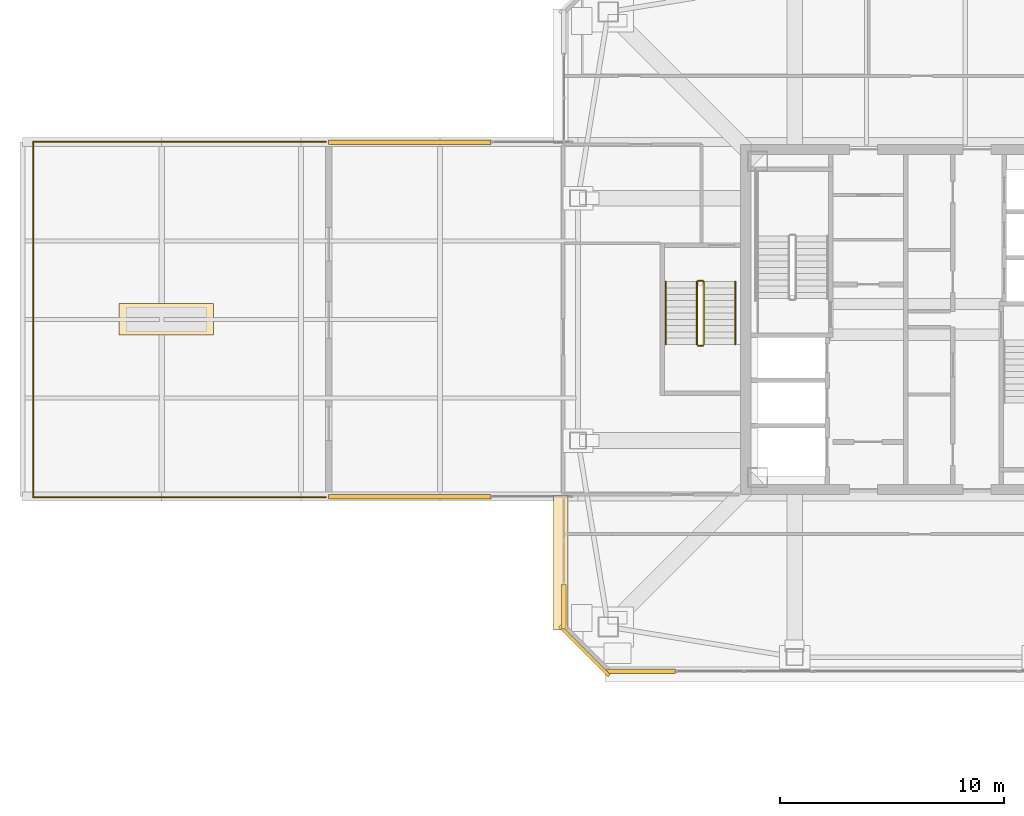
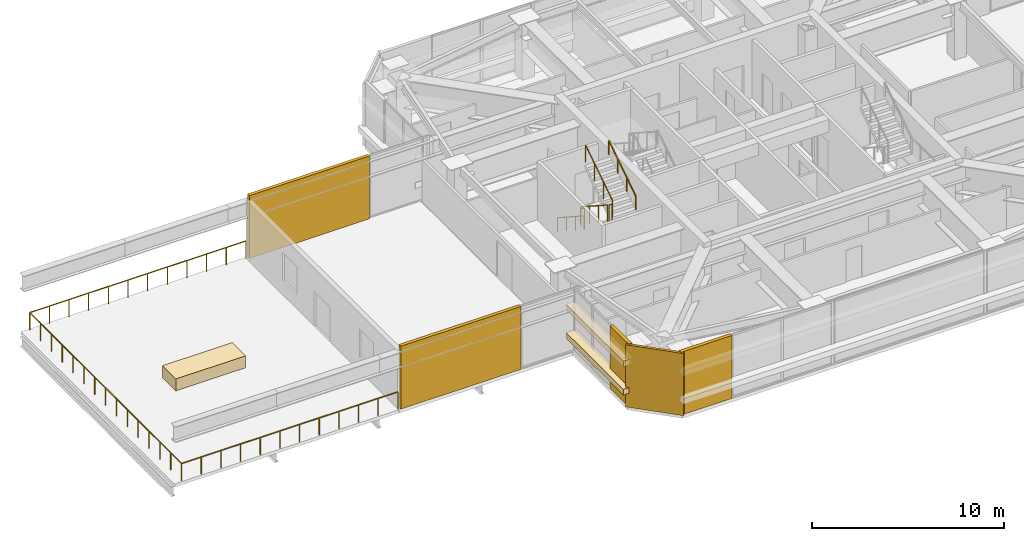
# One storey, part 46 of 51: 9 railings, 8 coverings.
"""IFC4 building model written with IfcOpenShell, lengths in metres."""

import ifcopenshell
import ifcopenshell.guid

model = None  # the IFC model being written
_history = None  # IfcOwnerHistory: only IFC2X3 demands one
_inside = {}  # id of a spatial element -> (the spatial element, [elements in it])
_under = {}  # id of a project, library or spatial element -> (it, [spatial elements below it])
_declared = {}  # id of a project -> (the project, [libraries it declares])
_typed = {}  # id of a type object -> (the type object, [elements of that type])
_made_of = {}  # id of a material, layer set ... -> (it, [elements and type objects made of it])


def new_model(schema):
    """Start an empty IFC model of exactly this schema.

    Asked for "IFC4X3", IfcOpenShell would pick the latest addendum, in which some entities
    have other attributes; the version numbers below select the first issue.
    IFC2X3 requires an IfcOwnerHistory on every rooted entity: one is made here for all.
    """
    global model, _history
    if schema == "IFC4X3":
        model = ifcopenshell.file(schema_version=(4, 3, 0, 0))
    else:
        model = ifcopenshell.file(schema=schema)
    _inside.clear()
    _under.clear()
    _declared.clear()
    _typed.clear()
    _made_of.clear()
    _history = None
    if model.schema == "IFC2X3":
        org = make("IfcOrganization", Name="unknown")
        user = make(
            "IfcPersonAndOrganization",
            ThePerson=make("IfcPerson", FamilyName="unknown"),
            TheOrganization=org,
        )
        app = make(
            "IfcApplication",
            ApplicationDeveloper=org,
            Version="unknown",
            ApplicationFullName="unknown",
            ApplicationIdentifier="unknown",
        )
        _history = make(
            "IfcOwnerHistory",
            OwningUser=user,
            OwningApplication=app,
            ChangeAction="ADDED",
            CreationDate=0,
        )
    return model


def make(cls, **values):
    """One entity of the class cls with the attributes given. An attribute that is None is left unset."""
    return model.create_entity(
        cls, **{name: value for name, value in values.items() if value is not None}
    )


def rooted(cls, **values):
    """An entity with a GlobalId (a new one), such as an element, a storey or a relation."""
    return make(cls, GlobalId=ifcopenshell.guid.new(), OwnerHistory=_history, **values)


def si_unit(unit_type, name, prefix=None):
    """IfcSIUnit, for example si_unit("LENGTHUNIT", "METRE", prefix="MILLI")."""
    return make("IfcSIUnit", UnitType=unit_type, Prefix=prefix, Name=name)


def assignment(units):
    """IfcUnitAssignment: the units of a project."""
    return None if units is None else make("IfcUnitAssignment", Units=units)


def point(xyz):
    """IfcCartesianPoint."""
    return None if xyz is None else make("IfcCartesianPoint", Coordinates=xyz)


def direction(xyz):
    """IfcDirection."""
    return None if xyz is None else make("IfcDirection", DirectionRatios=xyz)


def frame(location, z_axis=None, x_axis=None):
    """IfcAxis2Placement3D, a coordinate frame: its origin and axes. An axis left out is left unset."""
    return make(
        "IfcAxis2Placement3D",
        Location=point(location),
        Axis=direction(z_axis),
        RefDirection=direction(x_axis),
    )


def frame_2d(location, x_axis=None):
    """IfcAxis2Placement2D, a coordinate frame in the plane: its origin and x axis."""
    return make(
        "IfcAxis2Placement2D", Location=point(location), RefDirection=direction(x_axis)
    )


def origin():
    """The frame at (0, 0, 0) with its axes left unset."""
    return frame((0.0, 0.0, 0.0))


def origin_2d():
    """The frame at (0, 0) in the plane with its x axis left unset."""
    return frame_2d((0.0, 0.0))


def place(relative_to, where):
    """IfcLocalPlacement: puts the frame where relative to a parent placement (None: the world)."""
    return make(
        "IfcLocalPlacement", PlacementRelTo=relative_to, RelativePlacement=where
    )


def context(
    kind, dimensions, precision=None, world=None, true_north=None, identifier=None
):
    """IfcGeometricRepresentationContext, for example the 3D "Model" context."""
    return make(
        "IfcGeometricRepresentationContext",
        ContextIdentifier=identifier,
        ContextType=kind,
        CoordinateSpaceDimension=dimensions,
        Precision=precision,
        WorldCoordinateSystem=world,
        TrueNorth=true_north,
    )


def subcontext(parent, identifier, kind, view, scale=None):
    """IfcGeometricRepresentationSubContext, for example "Body" below "Model"."""
    return make(
        "IfcGeometricRepresentationSubContext",
        ContextIdentifier=identifier,
        ContextType=kind,
        ParentContext=parent,
        TargetScale=scale,
        TargetView=view,
    )


def project(units=None, contexts=None):
    """IfcProject with its units and contexts."""
    return rooted(
        "IfcProject",
        Name="project",
        RepresentationContexts=contexts,
        UnitsInContext=assignment(units),
    )


def spatial(cls, under=None, at=None, **own):
    """A site, building, storey or space (cls), placed at a placement, below another one or the project."""
    s = rooted(cls, ObjectPlacement=at, **own)
    if under is not None:
        _under.setdefault(under.id(), (under, []))[1].append(s)
    return s


def profile(cls, at=None, kind="AREA", **sizes):
    """A parametric profile (cls). Its sizes go by their IFC names, for example OverallWidth=200.0."""
    return make(cls, ProfileType=kind, Position=at, **sizes)


def rectangle(**sizes):
    """IfcRectangleProfileDef."""
    return profile("IfcRectangleProfileDef", **sizes)


def extrude(swept, where, along, depth):
    """IfcExtrudedAreaSolid: the profile swept, set in the frame where, extruded along a direction by depth."""
    return make(
        "IfcExtrudedAreaSolid",
        SweptArea=swept,
        Position=where,
        ExtrudedDirection=direction(along),
        Depth=depth,
    )


def shape(context_of_items, identifier, shape_type, items):
    """IfcShapeRepresentation: the items that make up one representation, for example the "Body"."""
    return make(
        "IfcShapeRepresentation",
        ContextOfItems=context_of_items,
        RepresentationIdentifier=identifier,
        RepresentationType=shape_type,
        Items=items,
    )


def material(Name=None, Category=None):
    """IfcMaterial."""
    return make("IfcMaterial", Name=Name, Category=Category)


def layer(
    of_material, thickness, ventilated=None, Name=None, Category=None, Priority=None
):
    """IfcMaterialLayer: one layer of a wall or slab, of a material (None: an air gap)."""
    return make(
        "IfcMaterialLayer",
        Material=of_material,
        LayerThickness=thickness,
        IsVentilated=ventilated,
        Name=Name,
        Category=Category,
        Priority=Priority,
    )


def layer_set(layers, Name=None):
    """IfcMaterialLayerSet."""
    return make("IfcMaterialLayerSet", MaterialLayers=layers, LayerSetName=Name)


def made_of(thing, what):
    """Note that an element or type object is made of a material, layer set ...; save() writes the relation."""
    if what is not None:
        _made_of.setdefault(what.id(), (what, []))[1].append(thing)
    return thing


def type_object(cls, material=None, **own):
    """A type object (cls), such as IfcWallType, which elements share."""
    return made_of(rooted(cls, **own), material)


def element(
    cls,
    number,
    at=None,
    inside=None,
    cuts=None,
    type_object=None,
    material=None,
    context=None,
    identifier="Body",
    shape_type=None,
    held_by="IfcProductDefinitionShape",
    body=None,
    shapes=None,
    **own,
):
    """One element of the class cls, such as IfcWall. Its Tag is "e" and its number.

    at: its placement. inside: the storey or other place that contains it. cuts: it is an
    opening in that element (IfcRelVoidsElement). A single representation is given by context,
    identifier, shape_type and body (its items); several are given by shapes. held_by: the class
    of the entity that holds the representations. save() writes the other relations.
    """
    e = rooted(cls, Tag="e%d" % number, ObjectPlacement=at, **own)
    if body is not None:
        shapes = [shape(context, identifier, shape_type, body)]
    if shapes is not None:
        e.Representation = make(held_by, Representations=shapes)
    if inside is not None:
        _inside.setdefault(inside.id(), (inside, []))[1].append(e)
    if cuts is not None:
        rooted(
            "IfcRelVoidsElement", RelatingBuildingElement=cuts, RelatedOpeningElement=e
        )
    if type_object is not None:
        _typed.setdefault(type_object.id(), (type_object, []))[1].append(e)
    return made_of(e, material)


def aggregate(whole, parts):
    """IfcRelAggregates: a whole, such as a stair, and the parts it consists of."""
    return rooted("IfcRelAggregates", RelatingObject=whole, RelatedObjects=parts)


def save(model, path):
    """Write the relations noted so far, then the file.

    IfcRelAggregates (storeys below a building ...), IfcRelContainedInSpatialStructure (elements
    in a storey), IfcRelDefinesByType, IfcRelAssociatesMaterial and IfcRelDeclares: one each for
    every whole, place, type object, material and project.
    """
    for whole, parts in _under.values():
        aggregate(whole, parts)
    for where, things in _inside.values():
        rooted(
            "IfcRelContainedInSpatialStructure",
            RelatedElements=things,
            RelatingStructure=where,
        )
    for kind, things in _typed.values():
        rooted("IfcRelDefinesByType", RelatedObjects=things, RelatingType=kind)
    for what, things in _made_of.values():
        rooted("IfcRelAssociatesMaterial", RelatedObjects=things, RelatingMaterial=what)
    for by, libraries in _declared.values():
        rooted("IfcRelDeclares", RelatingContext=by, RelatedDefinitions=libraries)
    model.write(path)


model = new_model("IFC4")

# Units and contexts
model_context = context("Model", 3, precision=1e-05, world=origin(), true_north=direction((0.0, 1.0)))
body_context = subcontext(model_context, "Body", "Model", "MODEL_VIEW")
ifc_project = project(units=[si_unit("LENGTHUNIT", "METRE"), si_unit("AREAUNIT", "SQUARE_METRE"), si_unit("VOLUMEUNIT", "CUBIC_METRE"), si_unit("PLANEANGLEUNIT", "RADIAN"), si_unit("MASSUNIT", "GRAM", prefix="KILO")], contexts=[model_context])

# Site, building, storey
site_placement = place(None, origin())
site = spatial("IfcSite", under=ifc_project, at=site_placement, CompositionType="ELEMENT")
building_placement = place(site_placement, origin())
building = spatial("IfcBuilding", under=site, at=building_placement, Name="Tashvorn Skyway Center", CompositionType="ELEMENT")
storey_placement = place(building_placement, frame((0.0, 0.0, 259.39990234375)))
storey = spatial("IfcBuildingStorey", under=building, at=storey_placement, Name="L70", CompositionType="ELEMENT", Elevation=259.39990234375)

# Coverings
ifc_material_1 = material(Name="Precast concrete C40/50", Category="concrete")
ifc_layer_1 = layer(ifc_material_1, 0.199951171875)
ifc_layer_set_1 = layer_set([ifc_layer_1], Name="Precast concrete C40/50")
covering_type_1 = type_object("IfcCoveringType", Name="COV-BRACE-CLAD", PredefinedType="CLADDING", material=ifc_layer_set_1)
covering_1_placement = place(storey_placement, frame((29.751220703125, 16.320068359375, 0.0), z_axis=(0.0, 0.0, 1.0), x_axis=(-1.0, 0.0, 0.0)))
element("IfcCovering", 1, at=covering_1_placement, inside=storey, type_object=covering_type_1, Name="Tower 1 L70 South Unitised Curtain Wall Mega-Brace Cladding Band 2", PredefinedType="CLADDING", context=body_context, shape_type="SweptSolid", body=[
    extrude(rectangle(XDim=3.062255859375, YDim=0.199951171875, at=origin_2d()), origin(), (0.0, 0.0, 1.0), 4.0),
])
covering_2_placement = place(storey_placement, frame((26.320068359375, 19.199951171875, 0.0), z_axis=(0.0, 0.0, 1.0), x_axis=(0.0, 1.0, 0.0)))
element("IfcCovering", 2, at=covering_2_placement, inside=storey, type_object=covering_type_1, Name="Tower 1 L70 West Curtain Wall A Mega-Brace Cladding Band 1", PredefinedType="CLADDING", context=body_context, shape_type="SweptSolid", body=[
    extrude(rectangle(XDim=1.9599609375, YDim=0.199951171875, at=origin_2d()), origin(), (0.0, 0.0, 1.0), 4.0),
])
for number, where, z_axis, x_axis, name in (
    (3, (19.453369140625, 24.10009765625, 0.0), (0.0, 0.0, 1.0), (-1.0, 0.0, 0.0), "Sky-Park L70 Cantilever Gallery South Curtain Wall Mega-Brace Cladding Band 1"),
    (4, (19.453369140625, 39.89990234375, 0.0), (0.0, 0.0, 1.0), (1.0, 0.0, 0.0), "Sky-Park L70 Cantilever Gallery North Curtain Wall Mega-Brace Cladding Band 1"),
):
    element("IfcCovering", number, at=place(storey_placement, frame(where, z_axis=z_axis, x_axis=x_axis)), inside=storey, type_object=covering_type_1, Name=name, PredefinedType="CLADDING", context=body_context, shape_type="SweptSolid", body=[
        extrude(rectangle(XDim=7.226806640625, YDim=0.199951171875, at=origin_2d()), origin(), (0.0, 0.0, 1.0), 4.0),
    ])
ifc_material_2 = material(Name="Perforated ceramic-coated bronze aluminium solar screen", Category="aluminium")
ifc_layer_2 = layer(ifc_material_2, 0.85009765625)
ifc_layer_set_2 = layer_set([ifc_layer_2], Name="Perforated ceramic-coated bronze aluminium solar screen")
covering_type_2 = type_object("IfcCoveringType", Name="COV-SOLAR-BAND", PredefinedType="CLADDING", material=ifc_layer_set_2)
for number, where, z_axis, x_axis, name in (
    (5, (26.179931640625, 21.159912109375, 0.919921875), (0.0, 0.0, 1.0), (0.0, 1.0, 0.0), "L70 Perforated Ceramic-Metal Solar Screen Louvre Band West 1"),
    (6, (26.179931640625, 21.159912109375, 2.72021484375), (0.0, 0.0, 1.0), (0.0, 1.0, 0.0), "L70 Perforated Ceramic-Metal Solar Screen Louvre Band West 2"),
):
    element("IfcCovering", number, at=place(storey_placement, frame(where, z_axis=z_axis, x_axis=x_axis)), inside=storey, type_object=covering_type_2, Name=name, PredefinedType="CLADDING", context=body_context, shape_type="SweptSolid", body=[
        extrude(rectangle(XDim=6.0, YDim=0.639892578125, at=origin_2d()), origin(), (0.0, 0.0, 1.0), 0.360107421875),
    ])
ifc_layer_3 = layer(ifc_material_1, 0.35009765625)
ifc_layer_set_3 = layer_set([ifc_layer_3], Name="Precast concrete C40/50")
covering_type_3 = type_object("IfcCoveringType", Name="COV-STONE-TRIM", PredefinedType="CLADDING", material=ifc_layer_set_3)
covering_3_placement = place(storey_placement, frame((27.22998046875, 17.22998046875, 0.02001953125), z_axis=(0.0, 0.0, 1.0), x_axis=(-0.707106781187, 0.707106781187, 0.0)))
element("IfcCovering", 7, at=covering_3_placement, inside=storey, type_object=covering_type_3, Name="Tower 1 L70 SW Mojave Limestone Corner Quoin", PredefinedType="CLADDING", context=body_context, shape_type="SweptSolid", body=[
    extrude(rectangle(XDim=3.1298828125, YDim=0.139892578125, at=origin_2d()), origin(), (0.0, 0.0, 1.0), 3.9599609375),
])
covering_4_placement = place(storey_placement, frame((8.60009765625, 32.0, 0.0), z_axis=(0.0, 0.0, 1.0), x_axis=(1.0, 0.0, 0.0)))
element("IfcCovering", 8, at=covering_4_placement, inside=storey, type_object=covering_type_3, Name="Sky-Park L70 Cantilever Stone Planter Kerb", PredefinedType="CLADDING", context=body_context, shape_type="SweptSolid", body=[
    extrude(rectangle(XDim=4.199951171875, YDim=1.39990234375, at=origin_2d()), origin(), (0.0, 0.0, 1.0), 0.760009765625),
])

# Railings
ifc_material_3 = material(Name="Galvanized steel S355", Category="steel")
railing_type_1 = type_object("IfcRailingType", Name="RAIL-GUARD-1120", PredefinedType="GUARDRAIL", material=ifc_material_3)
railing_1_placement = place(storey_placement, frame((15.699951171875, 24.080078125, 0.0)))
element("IfcRailing", 9, at=railing_1_placement, inside=storey, type_object=railing_type_1, Name="L70 Sky-Park Cantilever Terrace Guardrail 01", PredefinedType="GUARDRAIL", context=body_context, shape_type="SweptSolid", body=[
    extrude(rectangle(XDim=0.048095703125, YDim=0.048095703125, at=origin_2d()), frame((0.0, 0.0, 1.09619140625), z_axis=(-1.0, 0.0, 0.0), x_axis=(0.0, -1.0, 0.0)), (0.0, 0.0, 1.0), 13.02001953125),
    extrude(rectangle(XDim=0.0419921875, YDim=0.0419921875, at=origin_2d()), origin(), (0.0, 0.0, 1.0), 1.072021484375),
    extrude(rectangle(XDim=0.0419921875, YDim=0.0419921875, at=origin_2d()), frame((-1.18359375, 0.0, 0.0)), (0.0, 0.0, 1.0), 1.072021484375),
    extrude(rectangle(XDim=0.0419921875, YDim=0.0419921875, at=origin_2d()), frame((-2.3671875, 0.0, 0.0)), (0.0, 0.0, 1.0), 1.072021484375),
    extrude(rectangle(XDim=0.0419921875, YDim=0.0419921875, at=origin_2d()), frame((-3.551025390625, 0.0, 0.0)), (0.0, 0.0, 1.0), 1.072021484375),
    extrude(rectangle(XDim=0.0419921875, YDim=0.0419921875, at=origin_2d()), frame((-4.734619140625, 0.0, 0.0)), (0.0, 0.0, 1.0), 1.072021484375),
    extrude(rectangle(XDim=0.0419921875, YDim=0.0419921875, at=origin_2d()), frame((-5.918212890625, 0.0, 0.0)), (0.0, 0.0, 1.0), 1.072021484375),
    extrude(rectangle(XDim=0.0419921875, YDim=0.0419921875, at=origin_2d()), frame((-7.101806640625, 0.0, 0.0)), (0.0, 0.0, 1.0), 1.072021484375),
    extrude(rectangle(XDim=0.0419921875, YDim=0.0419921875, at=origin_2d()), frame((-8.285400390625, 0.0, 0.0)), (0.0, 0.0, 1.0), 1.072021484375),
    extrude(rectangle(XDim=0.0419921875, YDim=0.0419921875, at=origin_2d()), frame((-9.468994140625, 0.0, 0.0)), (0.0, 0.0, 1.0), 1.072021484375),
    extrude(rectangle(XDim=0.0419921875, YDim=0.0419921875, at=origin_2d()), frame((-10.65283203125, 0.0, 0.0)), (0.0, 0.0, 1.0), 1.072021484375),
    extrude(rectangle(XDim=0.0419921875, YDim=0.0419921875, at=origin_2d()), frame((-11.83642578125, 0.0, 0.0)), (0.0, 0.0, 1.0), 1.072021484375),
    extrude(rectangle(XDim=0.0419921875, YDim=0.0419921875, at=origin_2d()), frame((-13.02001953125, 0.0, 0.0)), (0.0, 0.0, 1.0), 1.072021484375),
])
railing_2_placement = place(storey_placement, frame((2.679931640625, 24.080078125, 0.0)))
element("IfcRailing", 10, at=railing_2_placement, inside=storey, type_object=railing_type_1, Name="L70 Sky-Park Cantilever Terrace Guardrail 02", PredefinedType="GUARDRAIL", context=body_context, shape_type="SweptSolid", body=[
    extrude(rectangle(XDim=0.048095703125, YDim=0.048095703125, at=origin_2d()), frame((0.0, 0.0, 1.09619140625), z_axis=(0.0, 1.0, 0.0), x_axis=(-1.0, 0.0, 0.0)), (0.0, 0.0, 1.0), 15.83984375),
    extrude(rectangle(XDim=0.0419921875, YDim=0.0419921875, at=origin_2d()), origin(), (0.0, 0.0, 1.0), 1.072021484375),
    extrude(rectangle(XDim=0.0419921875, YDim=0.0419921875, at=origin_2d()), frame((0.0, 1.13134765625, 0.0)), (0.0, 0.0, 1.0), 1.072021484375),
    extrude(rectangle(XDim=0.0419921875, YDim=0.0419921875, at=origin_2d()), frame((0.0, 2.262939453125, 0.0)), (0.0, 0.0, 1.0), 1.072021484375),
    extrude(rectangle(XDim=0.0419921875, YDim=0.0419921875, at=origin_2d()), frame((0.0, 3.394287109375, 0.0)), (0.0, 0.0, 1.0), 1.072021484375),
    extrude(rectangle(XDim=0.0419921875, YDim=0.0419921875, at=origin_2d()), frame((0.0, 4.525634765625, 0.0)), (0.0, 0.0, 1.0), 1.072021484375),
    extrude(rectangle(XDim=0.0419921875, YDim=0.0419921875, at=origin_2d()), frame((0.0, 5.656982421875, 0.0)), (0.0, 0.0, 1.0), 1.072021484375),
    extrude(rectangle(XDim=0.0419921875, YDim=0.0419921875, at=origin_2d()), frame((0.0, 6.78857421875, 0.0)), (0.0, 0.0, 1.0), 1.072021484375),
    extrude(rectangle(XDim=0.0419921875, YDim=0.0419921875, at=origin_2d()), frame((0.0, 7.919921875, 0.0)), (0.0, 0.0, 1.0), 1.072021484375),
    extrude(rectangle(XDim=0.0419921875, YDim=0.0419921875, at=origin_2d()), frame((0.0, 9.05126953125, 0.0)), (0.0, 0.0, 1.0), 1.072021484375),
    extrude(rectangle(XDim=0.0419921875, YDim=0.0419921875, at=origin_2d()), frame((0.0, 10.182861328125, 0.0)), (0.0, 0.0, 1.0), 1.072021484375),
    extrude(rectangle(XDim=0.0419921875, YDim=0.0419921875, at=origin_2d()), frame((0.0, 11.314208984375, 0.0)), (0.0, 0.0, 1.0), 1.072021484375),
    extrude(rectangle(XDim=0.0419921875, YDim=0.0419921875, at=origin_2d()), frame((0.0, 12.445556640625, 0.0)), (0.0, 0.0, 1.0), 1.072021484375),
    extrude(rectangle(XDim=0.0419921875, YDim=0.0419921875, at=origin_2d()), frame((0.0, 13.576904296875, 0.0)), (0.0, 0.0, 1.0), 1.072021484375),
    extrude(rectangle(XDim=0.0419921875, YDim=0.0419921875, at=origin_2d()), frame((0.0, 14.70849609375, 0.0)), (0.0, 0.0, 1.0), 1.072021484375),
    extrude(rectangle(XDim=0.0419921875, YDim=0.0419921875, at=origin_2d()), frame((0.0, 15.83984375, 0.0)), (0.0, 0.0, 1.0), 1.072021484375),
])
railing_3_placement = place(storey_placement, frame((2.679931640625, 39.919921875, 0.0)))
element("IfcRailing", 11, at=railing_3_placement, inside=storey, type_object=railing_type_1, Name="L70 Sky-Park Cantilever Terrace Guardrail 03", PredefinedType="GUARDRAIL", context=body_context, shape_type="SweptSolid", body=[
    extrude(rectangle(XDim=0.048095703125, YDim=0.048095703125, at=origin_2d()), frame((0.0, 0.0, 1.09619140625), z_axis=(1.0, 0.0, 0.0), x_axis=(0.0, 1.0, 0.0)), (0.0, 0.0, 1.0), 13.02001953125),
    extrude(rectangle(XDim=0.0419921875, YDim=0.0419921875, at=origin_2d()), origin(), (0.0, 0.0, 1.0), 1.072021484375),
    extrude(rectangle(XDim=0.0419921875, YDim=0.0419921875, at=origin_2d()), frame((1.18359375, 0.0, 0.0)), (0.0, 0.0, 1.0), 1.072021484375),
    extrude(rectangle(XDim=0.0419921875, YDim=0.0419921875, at=origin_2d()), frame((2.3671875, 0.0, 0.0)), (0.0, 0.0, 1.0), 1.072021484375),
    extrude(rectangle(XDim=0.0419921875, YDim=0.0419921875, at=origin_2d()), frame((3.551025390625, 0.0, 0.0)), (0.0, 0.0, 1.0), 1.072021484375),
    extrude(rectangle(XDim=0.0419921875, YDim=0.0419921875, at=origin_2d()), frame((4.734619140625, 0.0, 0.0)), (0.0, 0.0, 1.0), 1.072021484375),
    extrude(rectangle(XDim=0.0419921875, YDim=0.0419921875, at=origin_2d()), frame((5.918212890625, 0.0, 0.0)), (0.0, 0.0, 1.0), 1.072021484375),
    extrude(rectangle(XDim=0.0419921875, YDim=0.0419921875, at=origin_2d()), frame((7.101806640625, 0.0, 0.0)), (0.0, 0.0, 1.0), 1.072021484375),
    extrude(rectangle(XDim=0.0419921875, YDim=0.0419921875, at=origin_2d()), frame((8.285400390625, 0.0, 0.0)), (0.0, 0.0, 1.0), 1.072021484375),
    extrude(rectangle(XDim=0.0419921875, YDim=0.0419921875, at=origin_2d()), frame((9.468994140625, 0.0, 0.0)), (0.0, 0.0, 1.0), 1.072021484375),
    extrude(rectangle(XDim=0.0419921875, YDim=0.0419921875, at=origin_2d()), frame((10.65283203125, 0.0, 0.0)), (0.0, 0.0, 1.0), 1.072021484375),
    extrude(rectangle(XDim=0.0419921875, YDim=0.0419921875, at=origin_2d()), frame((11.83642578125, 0.0, 0.0)), (0.0, 0.0, 1.0), 1.072021484375),
    extrude(rectangle(XDim=0.0419921875, YDim=0.0419921875, at=origin_2d()), frame((13.02001953125, 0.0, 0.0)), (0.0, 0.0, 1.0), 1.072021484375),
])
ifc_material_4 = material(Name="Brushed stainless steel 316", Category="steel")
railing_type_2 = type_object("IfcRailingType", Name="RAIL-HAND-920", PredefinedType="HANDRAIL", material=ifc_material_4)
railing_4_placement = place(storey_placement, frame((30.85009765625, 33.679931640625, 0.181884765625)))
element("IfcRailing", 12, at=railing_4_placement, inside=storey, type_object=railing_type_2, Name="L70 ST-T1-3 stair handrail 1", PredefinedType="HANDRAIL", context=body_context, shape_type="SweptSolid", body=[
    extrude(rectangle(XDim=0.048095703125, YDim=0.048095703125, at=origin_2d()), frame((0.0, 0.0, 0.8759765625), z_axis=(0.0, -0.838705829183, 0.544584733623), x_axis=(1.0, 0.0, 0.0)), (0.0, 0.0, 1.0), 3.338623046875),
    extrude(rectangle(XDim=0.0419921875, YDim=0.0419921875, at=origin_2d()), origin(), (0.0, 0.0, 1.0), 0.851806640625),
    extrude(rectangle(XDim=0.0419921875, YDim=0.0419921875, at=origin_2d()), frame((0.0, -0.933349609375, 0.60595703125)), (0.0, 0.0, 1.0), 0.851806640625),
    extrude(rectangle(XDim=0.0419921875, YDim=0.0419921875, at=origin_2d()), frame((0.0, -1.86669921875, 1.212158203125)), (0.0, 0.0, 1.0), 0.851806640625),
    extrude(rectangle(XDim=0.0419921875, YDim=0.0419921875, at=origin_2d()), frame((0.0, -2.800048828125, 1.818115234375)), (0.0, 0.0, 1.0), 0.851806640625),
])
railing_5_placement = place(storey_placement, frame((33.949951171875, 30.8798828125, 2.181884765625)))
element("IfcRailing", 13, at=railing_5_placement, inside=storey, type_object=railing_type_2, Name="L70 ST-T1-3 stair handrail 2", PredefinedType="HANDRAIL", context=body_context, shape_type="SweptSolid", body=[
    extrude(rectangle(XDim=0.048095703125, YDim=0.048095703125, at=origin_2d()), frame((0.0, 0.0, 0.8759765625), z_axis=(0.0, 0.838705829183, 0.544584733623), x_axis=(-1.0, 0.0, 0.0)), (0.0, 0.0, 1.0), 3.338623046875),
    extrude(rectangle(XDim=0.0419921875, YDim=0.0419921875, at=origin_2d()), origin(), (0.0, 0.0, 1.0), 0.851806640625),
    extrude(rectangle(XDim=0.0419921875, YDim=0.0419921875, at=origin_2d()), frame((0.0, 0.933349609375, 0.60595703125)), (0.0, 0.0, 1.0), 0.851806640625),
    extrude(rectangle(XDim=0.0419921875, YDim=0.0419921875, at=origin_2d()), frame((0.0, 1.86669921875, 1.212158203125)), (0.0, 0.0, 1.0), 0.851806640625),
    extrude(rectangle(XDim=0.0419921875, YDim=0.0419921875, at=origin_2d()), frame((0.0, 2.800048828125, 1.818115234375)), (0.0, 0.0, 1.0), 0.851806640625),
])
ifc_material_5 = material(Name="Painted galvanized steel S355", Category="steel")
railing_type_3 = type_object("IfcRailingType", Name="RAIL-STGUARD-1100", PredefinedType="GUARDRAIL", material=ifc_material_5)
railing_6_placement = place(storey_placement, frame((32.25, 33.679931640625, 0.181884765625)))
element("IfcRailing", 14, at=railing_6_placement, inside=storey, type_object=railing_type_3, Name="L70 ST-T1-3 stair guard 1", PredefinedType="GUARDRAIL", context=body_context, shape_type="SweptSolid", body=[
    extrude(rectangle(XDim=0.048095703125, YDim=0.048095703125, at=origin_2d()), frame((0.0, 0.0, 1.076171875), z_axis=(0.0, -0.838705829183, 0.544584733623), x_axis=(1.0, 0.0, 0.0)), (0.0, 0.0, 1.0), 3.338623046875),
    extrude(rectangle(XDim=0.0419921875, YDim=0.0419921875, at=origin_2d()), origin(), (0.0, 0.0, 1.0), 1.052001953125),
    extrude(rectangle(XDim=0.0419921875, YDim=0.0419921875, at=origin_2d()), frame((0.0, -0.933349609375, 0.60595703125)), (0.0, 0.0, 1.0), 1.052001953125),
    extrude(rectangle(XDim=0.0419921875, YDim=0.0419921875, at=origin_2d()), frame((0.0, -1.86669921875, 1.212158203125)), (0.0, 0.0, 1.0), 1.052001953125),
    extrude(rectangle(XDim=0.0419921875, YDim=0.0419921875, at=origin_2d()), frame((0.0, -2.800048828125, 1.818115234375)), (0.0, 0.0, 1.0), 1.052001953125),
])
railing_7_placement = place(storey_placement, frame((32.300048828125, 30.830078125, 2.0)))
element("IfcRailing", 15, at=railing_7_placement, inside=storey, type_object=railing_type_3, Name="L70 ST-T1-3 stair guard 2", PredefinedType="GUARDRAIL", context=body_context, shape_type="SweptSolid", body=[
    extrude(rectangle(XDim=0.048095703125, YDim=0.048095703125, at=origin_2d()), frame((0.0, 0.0, 1.076171875), z_axis=(1.0, 0.0, 0.0), x_axis=(0.0, 1.0, 0.0)), (0.0, 0.0, 1.0), 0.199951171875),
    extrude(rectangle(XDim=0.0419921875, YDim=0.0419921875, at=origin_2d()), origin(), (0.0, 0.0, 1.0), 1.052001953125),
    extrude(rectangle(XDim=0.0419921875, YDim=0.0419921875, at=origin_2d()), frame((0.199951171875, 0.0, 0.0)), (0.0, 0.0, 1.0), 1.052001953125),
])
railing_8_placement = place(storey_placement, frame((32.550048828125, 30.8798828125, 2.181884765625)))
element("IfcRailing", 16, at=railing_8_placement, inside=storey, type_object=railing_type_3, Name="L70 ST-T1-3 stair guard 3", PredefinedType="GUARDRAIL", context=body_context, shape_type="SweptSolid", body=[
    extrude(rectangle(XDim=0.048095703125, YDim=0.048095703125, at=origin_2d()), frame((0.0, 0.0, 1.076171875), z_axis=(0.0, 0.838705829183, 0.544584733623), x_axis=(-1.0, 0.0, 0.0)), (0.0, 0.0, 1.0), 3.338623046875),
    extrude(rectangle(XDim=0.0419921875, YDim=0.0419921875, at=origin_2d()), origin(), (0.0, 0.0, 1.0), 1.052001953125),
    extrude(rectangle(XDim=0.0419921875, YDim=0.0419921875, at=origin_2d()), frame((0.0, 0.933349609375, 0.60595703125)), (0.0, 0.0, 1.0), 1.052001953125),
    extrude(rectangle(XDim=0.0419921875, YDim=0.0419921875, at=origin_2d()), frame((0.0, 1.86669921875, 1.212158203125)), (0.0, 0.0, 1.0), 1.052001953125),
    extrude(rectangle(XDim=0.0419921875, YDim=0.0419921875, at=origin_2d()), frame((0.0, 2.800048828125, 1.818115234375)), (0.0, 0.0, 1.0), 1.052001953125),
])
railing_9_placement = place(storey_placement, frame((32.300048828125, 33.72998046875, 0.0)))
element("IfcRailing", 17, at=railing_9_placement, inside=storey, type_object=railing_type_3, Name="L70 ST-T1-3 stair guard 4", PredefinedType="GUARDRAIL", context=body_context, shape_type="SweptSolid", body=[
    extrude(rectangle(XDim=0.048095703125, YDim=0.048095703125, at=origin_2d()), frame((0.0, 0.0, 1.076171875), z_axis=(1.0, 0.0, 0.0), x_axis=(0.0, 1.0, 0.0)), (0.0, 0.0, 1.0), 0.199951171875),
    extrude(rectangle(XDim=0.0419921875, YDim=0.0419921875, at=origin_2d()), origin(), (0.0, 0.0, 1.0), 1.052001953125),
    extrude(rectangle(XDim=0.0419921875, YDim=0.0419921875, at=origin_2d()), frame((0.199951171875, 0.0, 0.0)), (0.0, 0.0, 1.0), 1.052001953125),
])

save(model, "model.ifc")
